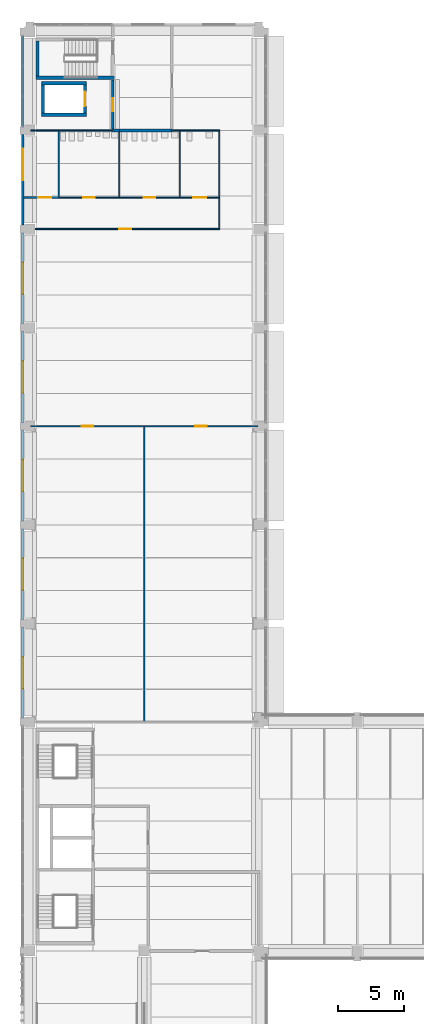
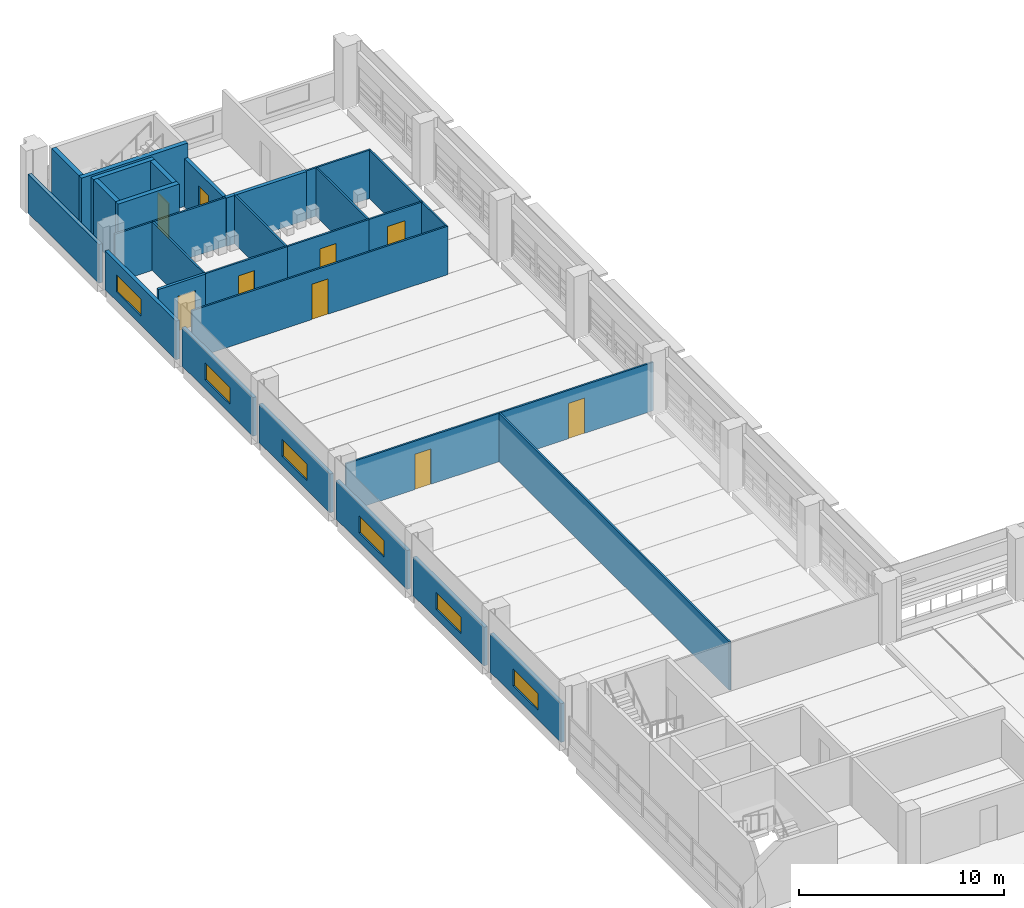
# One storey, part 35 of 61: 33 walls, 9 doors, 6 windows, 15 openings.
"""IFC4 building model written with IfcOpenShell, lengths in metres."""

from ifc_helpers import new_model, si_unit, direction, frame, frame_2d, origin, place, context, subcontext, project, spatial, rectangle, extrude, material, layer, layer_set, type_object, element, fill, save


model = new_model("IFC4")

# Units and contexts
model_context = context("Model", 3, precision=1e-05, world=origin(), true_north=direction((0.0, 1.0)))
body_context = subcontext(model_context, "Body", "Model", "MODEL_VIEW")
ifc_project = project(units=[si_unit("LENGTHUNIT", "METRE"), si_unit("AREAUNIT", "SQUARE_METRE"), si_unit("VOLUMEUNIT", "CUBIC_METRE"), si_unit("PLANEANGLEUNIT", "RADIAN"), si_unit("MASSUNIT", "GRAM", prefix="KILO")], contexts=[model_context])

# Site, building, storey
site_placement = place(None, origin())
site = spatial("IfcSite", under=ifc_project, at=site_placement, CompositionType="ELEMENT")
building_placement = place(site_placement, origin())
building = spatial("IfcBuilding", under=site, at=building_placement, Name="Cour d'Honneur Mobility Palace", CompositionType="ELEMENT")
storey_placement = place(building_placement, frame((0.0, 0.0, 11.89990234375)))
storey = spatial("IfcBuildingStorey", under=building, at=storey_placement, Name="L03", CompositionType="ELEMENT", Elevation=11.89990234375)

# Walls
ifc_material_1 = material(Name="Concrete C50", Category="concrete")
ifc_layer_1 = layer(ifc_material_1, 0.25)
ifc_layer_set_1 = layer_set([ifc_layer_1], Name="Concrete C50")
wall_type_1 = type_object("IfcWallType", Name="Lift shaft wall 250", PredefinedType="SHEAR", material=ifc_layer_set_1)
for number, where, z_axis, x_axis, name in (
    (1, (0.875, 108.60009765625, 0.0), (0.0, 0.0, 1.0), (1.0, 0.0, 0.0), "Lift shaft wall WL-NW1 L03"),
    (2, (0.875, 111.0, 0.0), (0.0, 0.0, 1.0), (1.0, 0.0, 0.0), "Lift shaft wall WL-NW2 L03"),
):
    element("IfcWall", number, at=place(storey_placement, frame(where, z_axis=z_axis, x_axis=x_axis)), inside=storey, type_object=wall_type_1, Name=name, PredefinedType="SHEAR", context=body_context, shape_type="SweptSolid", body=[
        extrude(rectangle(XDim=3.449951171875, YDim=0.25, at=frame_2d((1.72509765625, 0.0))), origin(), (0.0, 0.0, 1.0), 3.7001953125),
    ])
wall_1_placement = place(storey_placement, frame((1.0, 108.72509765625, 0.0), z_axis=(0.0, 0.0, 1.0), x_axis=(0.0, 1.0, 0.0)))
element("IfcWall", 3, at=wall_1_placement, inside=storey, type_object=wall_type_1, Name="Lift shaft wall WL-NW6 L03", PredefinedType="SHEAR", context=body_context, shape_type="SweptSolid", body=[
    extrude(rectangle(XDim=2.14990234375, YDim=0.25, at=frame_2d((1.074951171875, 0.0))), origin(), (0.0, 0.0, 1.0), 3.7001953125),
])

# Wall, opening, door
wall_2_placement = place(storey_placement, frame((4.199951171875, 108.72509765625, 0.0), z_axis=(0.0, 0.0, 1.0), x_axis=(0.0, 1.0, 0.0)))
wall_2 = element("IfcWall", 4, at=wall_2_placement, inside=storey, type_object=wall_type_1, Name="Lift shaft wall WL-NW7 L03", PredefinedType="SHEAR", context=body_context, shape_type="SweptSolid", body=[
    extrude(rectangle(XDim=2.14990234375, YDim=0.25, at=frame_2d((1.074951171875, 0.0))), origin(), (0.0, 0.0, 1.0), 3.7001953125),
])
opening_1_placement = place(wall_2_placement, frame((0.52490234375, 0.0, 0.0)))
opening_1 = element("IfcOpeningElement", 5, at=opening_1_placement, cuts=wall_2, Name="Opening LD56", PredefinedType="OPENING", context=body_context, shape_type="SweptSolid", body=[
    extrude(rectangle(XDim=1.10009765625, YDim=2.10009765625, at=frame_2d((0.550048828125, 1.050048828125))), frame((0.0, 0.135009765625, 0.0), z_axis=(0.0, -1.0, 0.0), x_axis=(1.0, 0.0, 0.0)), (0.0, 0.0, 1.0), 0.27001953125),
])
ifc_material_2 = material(Name="Stainless steel", Category="steel")
door_type_1 = type_object("IfcDoorType", Name="Landing door 1100 x 2100", OperationType="SLIDING_TO_LEFT", PredefinedType="DOOR", material=ifc_material_2)
door_1_placement = place(opening_1_placement, origin())
door_1 = element("IfcDoor", 6, at=door_1_placement, inside=storey, type_object=door_type_1, Name="Landing door LF-NW1 L03", OperationType="SLIDING_TO_LEFT", OverallHeight=2.10009765625, OverallWidth=1.10009765625, PredefinedType="DOOR", context=body_context, shape_type="SweptSolid", body=[
    extrude(rectangle(XDim=1.10009765625, YDim=2.10009765625, at=frame_2d((0.550048828125, 1.050048828125))), frame((0.0, 0.02490234375, 0.0), z_axis=(0.0, -1.0, 0.0), x_axis=(1.0, 0.0, 0.0)), (0.0, 0.0, 1.0), 0.050048828125),
])
fill(opening_1, door_1)

ifc_material_3 = material(Name="Concrete C50", Category="concrete")
ifc_layer_2 = layer(ifc_material_3, 0.199951171875)
ifc_layer_set_2 = layer_set([ifc_layer_2], Name="Concrete C50")
wall_type_2 = type_object("IfcWallType", Name="Load-bearing lobby wall 200 rated EI 120", PredefinedType="PARTITIONING", material=ifc_layer_set_2)
wall_3_placement = place(storey_placement, frame((6.300048828125, 111.22509765625, 0.0), z_axis=(0.0, 0.0, 1.0), x_axis=(0.0, -1.0, 0.0)))
wall_3 = element("IfcWall", 7, at=wall_3_placement, inside=storey, type_object=wall_type_2, Name="Partition 087", PredefinedType="PARTITIONING", context=body_context, shape_type="SweptSolid", body=[
    extrude(rectangle(XDim=3.72509765625, YDim=0.199951171875, at=frame_2d((1.862548828125, 0.0))), origin(), (0.0, 0.0, 1.0), 2.880126953125),
])
opening_2_placement = place(wall_3_placement, frame((1.362548828125, 0.0, 0.0)))
opening_2 = element("IfcOpeningElement", 8, at=opening_2_placement, cuts=wall_3, Name="Opening D0330", PredefinedType="OPENING", context=body_context, shape_type="SweptSolid", body=[
    extrude(rectangle(XDim=1.0, YDim=2.10009765625, at=frame_2d((0.5, 1.050048828125))), frame((0.0, 0.10986328125, 0.0), z_axis=(0.0, -1.0, 0.0), x_axis=(1.0, 0.0, 0.0)), (0.0, 0.0, 1.0), 0.219970703125),
])
ifc_material_4 = material(Name="Galvanised steel", Category="steel")
door_type_2 = type_object("IfcDoorType", Name="Fire door FD120 1000 x 2100", OperationType="SINGLE_SWING_LEFT", PredefinedType="DOOR", material=ifc_material_4)
door_2_placement = place(opening_2_placement, origin())
door_2 = element("IfcDoor", 9, at=door_2_placement, inside=storey, type_object=door_type_2, Name="Door Lift Lobby", OperationType="SINGLE_SWING_RIGHT", OverallHeight=2.10009765625, OverallWidth=1.0, PredefinedType="DOOR", context=body_context, shape_type="SweptSolid", body=[
    extrude(rectangle(XDim=1.0, YDim=2.10009765625, at=frame_2d((0.5, 1.050048828125))), frame((0.0, 0.02490234375, 0.0), z_axis=(0.0, -1.0, 0.0), x_axis=(1.0, 0.0, 0.0)), (0.0, 0.0, 1.0), 0.050048828125),
])
fill(opening_2, door_2)

# Wall
ifc_material_5 = material(Name="Gypsum plasterboard")
ifc_layer_3 = layer(ifc_material_5, 0.10009765625)
ifc_layer_set_3 = layer_set([ifc_layer_3], Name="Gypsum plasterboard")
wall_type_3 = type_object("IfcWallType", Name="Partition 100", PredefinedType="PARTITIONING", material=ifc_layer_set_3)
wall_4_placement = place(storey_placement, frame((8.699951171875, 62.449951171875, 0.0), z_axis=(0.0, 0.0, 1.0), x_axis=(0.0, 1.0, 0.0)))
element("IfcWall", 10, at=wall_4_placement, inside=storey, type_object=wall_type_3, Name="Partition 042", PredefinedType="PARTITIONING", context=body_context, shape_type="SweptSolid", body=[
    extrude(rectangle(XDim=22.400146484375, YDim=0.10009765625, at=frame_2d((11.2001953125, 0.0))), origin(), (0.0, 0.0, 1.0), 2.880126953125),
])

# Wall, opening, door
wall_5_placement = place(storey_placement, frame((8.699951171875, 84.89990234375, 0.0), z_axis=(0.0, 0.0, 1.0), x_axis=(-1.0, 0.0, 0.0)))
wall_5 = element("IfcWall", 11, at=wall_5_placement, inside=storey, type_object=wall_type_3, Name="Partition 046", PredefinedType="PARTITIONING", context=body_context, shape_type="SweptSolid", body=[
    extrude(rectangle(XDim=8.639892578125, YDim=0.10009765625, at=frame_2d((4.31982421875, 0.0))), origin(), (0.0, 0.0, 1.0), 2.880126953125),
])
opening_3_placement = place(wall_5_placement, frame((3.8701171875, 0.0, 0.0)))
opening_3 = element("IfcOpeningElement", 12, at=opening_3_placement, cuts=wall_5, Name="Opening D0313", PredefinedType="OPENING", context=body_context, shape_type="SweptSolid", body=[
    extrude(rectangle(XDim=0.89990234375, YDim=2.10009765625, at=frame_2d((0.449951171875, 1.050048828125))), frame((0.0, 0.06005859375, 0.0), z_axis=(0.0, -1.0, 0.0), x_axis=(1.0, 0.0, 0.0)), (0.0, 0.0, 1.0), 0.1201171875),
])
ifc_material_6 = material(Name="Solid timber", Category="wood")
door_type_3 = type_object("IfcDoorType", Name="Single door 900 x 2100", OperationType="SINGLE_SWING_LEFT", PredefinedType="DOOR", material=ifc_material_6)
door_3_placement = place(opening_3_placement, origin())
door_3 = element("IfcDoor", 13, at=door_3_placement, inside=storey, type_object=door_type_3, Name="Door Cycle Cafe", OperationType="SINGLE_SWING_RIGHT", OverallHeight=2.10009765625, OverallWidth=0.89990234375, PredefinedType="DOOR", context=body_context, shape_type="SweptSolid", body=[
    extrude(rectangle(XDim=0.89990234375, YDim=2.10009765625, at=frame_2d((0.449951171875, 1.050048828125))), frame((0.0, 0.02490234375, 0.0), z_axis=(0.0, -1.0, 0.0), x_axis=(1.0, 0.0, 0.0)), (0.0, 0.0, 1.0), 0.050048828125),
])
fill(opening_3, door_3)

wall_6_placement = place(storey_placement, frame((17.340087890625, 84.89990234375, 0.0), z_axis=(0.0, 0.0, 1.0), x_axis=(-1.0, 0.0, 0.0)))
wall_6 = element("IfcWall", 14, at=wall_6_placement, inside=storey, type_object=wall_type_3, Name="Partition 047", PredefinedType="PARTITIONING", context=body_context, shape_type="SweptSolid", body=[
    extrude(rectangle(XDim=8.64013671875, YDim=0.10009765625, at=frame_2d((4.320068359375, 0.0))), origin(), (0.0, 0.0, 1.0), 2.880126953125),
])
opening_4_placement = place(wall_6_placement, frame((3.8701171875, 0.0, 0.0)))
opening_4 = element("IfcOpeningElement", 15, at=opening_4_placement, cuts=wall_6, Name="Opening D0314", PredefinedType="OPENING", context=body_context, shape_type="SweptSolid", body=[
    extrude(rectangle(XDim=0.89990234375, YDim=2.10009765625, at=frame_2d((0.449951171875, 1.050048828125))), frame((0.0, 0.06005859375, 0.0), z_axis=(0.0, -1.0, 0.0), x_axis=(1.0, 0.0, 0.0)), (0.0, 0.0, 1.0), 0.1201171875),
])
door_4_placement = place(opening_4_placement, origin())
door_4 = element("IfcDoor", 16, at=door_4_placement, inside=storey, type_object=door_type_3, Name="Door Mobility Exhibition Room", OperationType="SINGLE_SWING_LEFT", OverallHeight=2.10009765625, OverallWidth=0.89990234375, PredefinedType="DOOR", context=body_context, shape_type="SweptSolid", body=[
    extrude(rectangle(XDim=0.89990234375, YDim=2.10009765625, at=frame_2d((0.449951171875, 1.050048828125))), frame((0.0, 0.02490234375, 0.0), z_axis=(0.0, -1.0, 0.0), x_axis=(1.0, 0.0, 0.0)), (0.0, 0.0, 1.0), 0.050048828125),
])
fill(opening_4, door_4)

wall_7_placement = place(storey_placement, frame((0.06005859375, 99.89990234375, 0.0), z_axis=(0.0, 0.0, 1.0), x_axis=(1.0, 0.0, 0.0)))
wall_7 = element("IfcWall", 17, at=wall_7_placement, inside=storey, type_object=wall_type_3, Name="Partition 052", PredefinedType="PARTITIONING", context=body_context, shape_type="SweptSolid", body=[
    extrude(rectangle(XDim=14.389892578125, YDim=0.10009765625, at=frame_2d((7.19482421875, 0.0))), origin(), (0.0, 0.0, 1.0), 2.880126953125),
])
opening_5_placement = place(wall_7_placement, frame((6.7451171875, 0.0, 0.0)))
opening_5 = element("IfcOpeningElement", 18, at=opening_5_placement, cuts=wall_7, Name="Opening D0315", PredefinedType="OPENING", context=body_context, shape_type="SweptSolid", body=[
    extrude(rectangle(XDim=0.89990234375, YDim=2.10009765625, at=frame_2d((0.449951171875, 1.050048828125))), frame((0.0, 0.06005859375, 0.0), z_axis=(0.0, -1.0, 0.0), x_axis=(1.0, 0.0, 0.0)), (0.0, 0.0, 1.0), 0.1201171875),
])
door_5_placement = place(opening_5_placement, origin())
door_5 = element("IfcDoor", 19, at=door_5_placement, inside=storey, type_object=door_type_3, Name="Door WC Corridor West", OperationType="SINGLE_SWING_RIGHT", OverallHeight=2.10009765625, OverallWidth=0.89990234375, PredefinedType="DOOR", context=body_context, shape_type="SweptSolid", body=[
    extrude(rectangle(XDim=0.89990234375, YDim=2.10009765625, at=frame_2d((0.449951171875, 1.050048828125))), frame((0.0, 0.02490234375, 0.0), z_axis=(0.0, -1.0, 0.0), x_axis=(1.0, 0.0, 0.0)), (0.0, 0.0, 1.0), 0.050048828125),
])
fill(opening_5, door_5)

# Walls
wall_8_placement = place(storey_placement, frame((14.39990234375, 99.949951171875, 0.0), z_axis=(0.0, 0.0, 1.0), x_axis=(0.0, 1.0, 0.0)))
element("IfcWall", 20, at=wall_8_placement, inside=storey, type_object=wall_type_3, Name="Partition 053", PredefinedType="PARTITIONING", context=body_context, shape_type="SweptSolid", body=[
    extrude(rectangle(XDim=2.300048828125, YDim=0.10009765625, at=frame_2d((1.14990234375, 0.0))), origin(), (0.0, 0.0, 1.0), 2.880126953125),
])
wall_9_placement = place(storey_placement, frame((2.199951171875, 102.375, 0.0), z_axis=(0.0, 0.0, 1.0), x_axis=(0.0, 1.0, 0.0)))
element("IfcWall", 21, at=wall_9_placement, inside=storey, type_object=wall_type_3, Name="Partition 057", PredefinedType="PARTITIONING", context=body_context, shape_type="SweptSolid", body=[
    extrude(rectangle(XDim=4.97509765625, YDim=0.10009765625, at=frame_2d((2.487548828125, 0.0))), origin(), (0.0, 0.0, 1.0), 2.880126953125),
])

# Wall, opening, door
wall_10_placement = place(storey_placement, frame((6.800048828125, 102.300048828125, 0.0), z_axis=(0.0, 0.0, 1.0), x_axis=(-1.0, 0.0, 0.0)))
wall_10 = element("IfcWall", 22, at=wall_10_placement, inside=storey, type_object=wall_type_3, Name="Partition 058", PredefinedType="PARTITIONING", context=body_context, shape_type="SweptSolid", body=[
    extrude(rectangle(XDim=4.60009765625, YDim=0.10009765625, at=frame_2d((2.300048828125, 0.0))), origin(), (0.0, 0.0, 1.0), 2.880126953125),
])
opening_6_placement = place(wall_10_placement, frame((1.85009765625, 0.0, 0.0)))
opening_6 = element("IfcOpeningElement", 23, at=opening_6_placement, cuts=wall_10, Name="Opening D0317", PredefinedType="OPENING", context=body_context, shape_type="SweptSolid", body=[
    extrude(rectangle(XDim=0.89990234375, YDim=2.10009765625, at=frame_2d((0.449951171875, 1.050048828125))), frame((0.0, 0.06005859375, 0.0), z_axis=(0.0, -1.0, 0.0), x_axis=(1.0, 0.0, 0.0)), (0.0, 0.0, 1.0), 0.1201171875),
])
door_6_placement = place(opening_6_placement, origin())
door_6 = element("IfcDoor", 24, at=door_6_placement, inside=storey, type_object=door_type_3, Name="Door WC Men West", OperationType="SINGLE_SWING_LEFT", OverallHeight=2.10009765625, OverallWidth=0.89990234375, PredefinedType="DOOR", context=body_context, shape_type="SweptSolid", body=[
    extrude(rectangle(XDim=0.89990234375, YDim=2.10009765625, at=frame_2d((0.449951171875, 1.050048828125))), frame((0.0, 0.02490234375, 0.0), z_axis=(0.0, -1.0, 0.0), x_axis=(1.0, 0.0, 0.0)), (0.0, 0.0, 1.0), 0.050048828125),
])
fill(opening_6, door_6)

# Wall
wall_11_placement = place(storey_placement, frame((6.800048828125, 102.35009765625, 0.0), z_axis=(0.0, 0.0, 1.0), x_axis=(0.0, 1.0, 0.0)))
element("IfcWall", 25, at=wall_11_placement, inside=storey, type_object=wall_type_3, Name="Partition 059", PredefinedType="PARTITIONING", context=body_context, shape_type="SweptSolid", body=[
    extrude(rectangle(XDim=4.949951171875, YDim=0.10009765625, at=frame_2d((2.47509765625, 0.0))), origin(), (0.0, 0.0, 1.0), 2.880126953125),
])

# Wall, opening, door
wall_12_placement = place(storey_placement, frame((11.39990234375, 102.300048828125, 0.0), z_axis=(0.0, 0.0, 1.0), x_axis=(-1.0, 0.0, 0.0)))
wall_12 = element("IfcWall", 26, at=wall_12_placement, inside=storey, type_object=wall_type_3, Name="Partition 060", PredefinedType="PARTITIONING", context=body_context, shape_type="SweptSolid", body=[
    extrude(rectangle(XDim=4.599853515625, YDim=0.10009765625, at=frame_2d((2.2998046875, 0.0))), origin(), (0.0, 0.0, 1.0), 2.880126953125),
])
opening_7_placement = place(wall_12_placement, frame((1.85009765625, 0.0, 0.0)))
opening_7 = element("IfcOpeningElement", 27, at=opening_7_placement, cuts=wall_12, Name="Opening D0318", PredefinedType="OPENING", context=body_context, shape_type="SweptSolid", body=[
    extrude(rectangle(XDim=0.89990234375, YDim=2.10009765625, at=frame_2d((0.449951171875, 1.050048828125))), frame((0.0, 0.06005859375, 0.0), z_axis=(0.0, -1.0, 0.0), x_axis=(1.0, 0.0, 0.0)), (0.0, 0.0, 1.0), 0.1201171875),
])
door_7_placement = place(opening_7_placement, origin())
door_7 = element("IfcDoor", 28, at=door_7_placement, inside=storey, type_object=door_type_3, Name="Door WC Women West", OperationType="SINGLE_SWING_LEFT", OverallHeight=2.10009765625, OverallWidth=0.89990234375, PredefinedType="DOOR", context=body_context, shape_type="SweptSolid", body=[
    extrude(rectangle(XDim=0.89990234375, YDim=2.10009765625, at=frame_2d((0.449951171875, 1.050048828125))), frame((0.0, 0.02490234375, 0.0), z_axis=(0.0, -1.0, 0.0), x_axis=(1.0, 0.0, 0.0)), (0.0, 0.0, 1.0), 0.050048828125),
])
fill(opening_7, door_7)

# Wall
wall_13_placement = place(storey_placement, frame((11.39990234375, 102.35009765625, 0.0), z_axis=(0.0, 0.0, 1.0), x_axis=(0.0, 1.0, 0.0)))
element("IfcWall", 29, at=wall_13_placement, inside=storey, type_object=wall_type_3, Name="Partition 061", PredefinedType="PARTITIONING", context=body_context, shape_type="SweptSolid", body=[
    extrude(rectangle(XDim=5.0, YDim=0.10009765625, at=frame_2d((2.5, 0.0))), origin(), (0.0, 0.0, 1.0), 2.880126953125),
])

# Wall, opening, door
wall_14_placement = place(storey_placement, frame((14.449951171875, 102.300048828125, 0.0), z_axis=(0.0, 0.0, 1.0), x_axis=(-1.0, 0.0, 0.0)))
wall_14 = element("IfcWall", 30, at=wall_14_placement, inside=storey, type_object=wall_type_3, Name="Partition 062", PredefinedType="PARTITIONING", context=body_context, shape_type="SweptSolid", body=[
    extrude(rectangle(XDim=3.050048828125, YDim=0.10009765625, at=frame_2d((1.52490234375, 0.0))), origin(), (0.0, 0.0, 1.0), 2.880126953125),
])
opening_8_placement = place(wall_14_placement, frame((1.02490234375, 0.0, 0.0)))
opening_8 = element("IfcOpeningElement", 31, at=opening_8_placement, cuts=wall_14, Name="Opening D0319", PredefinedType="OPENING", context=body_context, shape_type="SweptSolid", body=[
    extrude(rectangle(XDim=1.0, YDim=2.10009765625, at=frame_2d((0.5, 1.050048828125))), frame((0.0, 0.06005859375, 0.0), z_axis=(0.0, -1.0, 0.0), x_axis=(1.0, 0.0, 0.0)), (0.0, 0.0, 1.0), 0.1201171875),
])
ifc_material_7 = material(Name="Solid timber", Category="wood")
door_type_4 = type_object("IfcDoorType", Name="Accessible door 1000 x 2100", OperationType="SINGLE_SWING_LEFT", PredefinedType="DOOR", material=ifc_material_7)
door_8_placement = place(opening_8_placement, origin())
door_8 = element("IfcDoor", 32, at=door_8_placement, inside=storey, type_object=door_type_4, Name="Door Accessible WC West", OperationType="SINGLE_SWING_LEFT", OverallHeight=2.10009765625, OverallWidth=1.0, PredefinedType="DOOR", context=body_context, shape_type="SweptSolid", body=[
    extrude(rectangle(XDim=1.0, YDim=2.10009765625, at=frame_2d((0.5, 1.050048828125))), frame((0.0, 0.02490234375, 0.0), z_axis=(0.0, -1.0, 0.0), x_axis=(1.0, 0.0, 0.0)), (0.0, 0.0, 1.0), 0.050048828125),
])
fill(opening_8, door_8)

# Walls
wall_15_placement = place(storey_placement, frame((14.39990234375, 102.35009765625, 0.0), z_axis=(0.0, 0.0, 1.0), x_axis=(0.0, 1.0, 0.0)))
element("IfcWall", 33, at=wall_15_placement, inside=storey, type_object=wall_type_3, Name="Partition 063", PredefinedType="PARTITIONING", context=body_context, shape_type="SweptSolid", body=[
    extrude(rectangle(XDim=5.0, YDim=0.10009765625, at=frame_2d((2.5, 0.0))), origin(), (0.0, 0.0, 1.0), 2.880126953125),
])
wall_16_placement = place(storey_placement, frame((2.199951171875, 107.39990234375, 0.0), z_axis=(0.0, 0.0, 1.0), x_axis=(-1.0, 0.0, 0.0)))
element("IfcWall", 34, at=wall_16_placement, inside=storey, type_object=wall_type_3, Name="Partition 069", PredefinedType="PARTITIONING", context=body_context, shape_type="SweptSolid", body=[
    extrude(rectangle(XDim=2.139892578125, YDim=0.10009765625, at=frame_2d((1.06982421875, 0.0))), origin(), (0.0, 0.0, 1.0), 2.880126953125),
])
wall_17_placement = place(storey_placement, frame((6.300048828125, 107.39990234375, 0.0), z_axis=(0.0, 0.0, 1.0), x_axis=(-1.0, 0.0, 0.0)))
element("IfcWall", 35, at=wall_17_placement, inside=storey, type_object=wall_type_3, Name="Partition 070", PredefinedType="PARTITIONING", context=body_context, shape_type="SweptSolid", body=[
    extrude(rectangle(XDim=4.10009765625, YDim=0.10009765625, at=frame_2d((2.050048828125, 0.0))), origin(), (0.0, 0.0, 1.0), 2.880126953125),
])
wall_18_placement = place(storey_placement, frame((11.39990234375, 107.39990234375, 0.0), z_axis=(0.0, 0.0, 1.0), x_axis=(-1.0, 0.0, 0.0)))
element("IfcWall", 36, at=wall_18_placement, inside=storey, type_object=wall_type_3, Name="Partition 074", PredefinedType="PARTITIONING", context=body_context, shape_type="SweptSolid", body=[
    extrude(rectangle(XDim=0.599853515625, YDim=0.10009765625, at=frame_2d((0.2998046875, 0.0))), origin(), (0.0, 0.0, 1.0), 2.880126953125),
])
wall_19_placement = place(storey_placement, frame((14.449951171875, 107.39990234375, 0.0), z_axis=(0.0, 0.0, 1.0), x_axis=(-1.0, 0.0, 0.0)))
element("IfcWall", 37, at=wall_19_placement, inside=storey, type_object=wall_type_3, Name="Partition 075", PredefinedType="PARTITIONING", context=body_context, shape_type="SweptSolid", body=[
    extrude(rectangle(XDim=3.050048828125, YDim=0.10009765625, at=frame_2d((1.52490234375, 0.0))), origin(), (0.0, 0.0, 1.0), 2.880126953125),
])

# Wall, opening, door
ifc_material_8 = material(Name="Gypsum plasterboard")
ifc_layer_4 = layer(ifc_material_8, 0.14990234375)
ifc_layer_set_4 = layer_set([ifc_layer_4], Name="Gypsum plasterboard")
wall_type_4 = type_object("IfcWallType", Name="Partition 150 rated EI 60", PredefinedType="PARTITIONING", material=ifc_layer_set_4)
wall_20_placement = place(storey_placement, frame((2.199951171875, 102.300048828125, 0.0), z_axis=(0.0, 0.0, 1.0), x_axis=(-1.0, 0.0, 0.0)))
wall_20 = element("IfcWall", 38, at=wall_20_placement, inside=storey, type_object=wall_type_4, Name="Partition 056", PredefinedType="PARTITIONING", context=body_context, shape_type="SweptSolid", body=[
    extrude(rectangle(XDim=2.64990234375, YDim=0.14990234375, at=frame_2d((1.324951171875, 0.0))), origin(), (0.0, 0.0, 1.0), 2.880126953125),
])
opening_9_placement = place(wall_20_placement, frame((0.570068359375, 0.0, 0.0)))
opening_9 = element("IfcOpeningElement", 39, at=opening_9_placement, cuts=wall_20, Name="Opening D0316", PredefinedType="OPENING", context=body_context, shape_type="SweptSolid", body=[
    extrude(rectangle(XDim=1.0, YDim=2.10009765625, at=frame_2d((0.5, 1.050048828125))), frame((0.0, 0.0849609375, 0.0), z_axis=(0.0, -1.0, 0.0), x_axis=(1.0, 0.0, 0.0)), (0.0, 0.0, 1.0), 0.169921875),
])
ifc_material_9 = material(Name="Galvanised steel", Category="steel")
door_type_5 = type_object("IfcDoorType", Name="Fire door FD60 1000 x 2100", OperationType="SINGLE_SWING_LEFT", PredefinedType="DOOR", material=ifc_material_9)
door_9_placement = place(opening_9_placement, origin())
door_9 = element("IfcDoor", 40, at=door_9_placement, inside=storey, type_object=door_type_5, Name="Door Cleaner's Store West", OperationType="SINGLE_SWING_LEFT", OverallHeight=2.10009765625, OverallWidth=1.0, PredefinedType="DOOR", context=body_context, shape_type="SweptSolid", body=[
    extrude(rectangle(XDim=1.0, YDim=2.10009765625, at=frame_2d((0.5, 1.050048828125))), frame((0.0, 0.02490234375, 0.0), z_axis=(0.0, -1.0, 0.0), x_axis=(1.0, 0.0, 0.0)), (0.0, 0.0, 1.0), 0.050048828125),
])
fill(opening_9, door_9)

# Walls
ifc_material_10 = material(Name="Gypsum plasterboard")
ifc_layer_5 = layer(ifc_material_10, 0.199951171875)
ifc_layer_set_5 = layer_set([ifc_layer_5], Name="Gypsum plasterboard")
wall_type_5 = type_object("IfcWallType", Name="Partition 200 rated EI 120", PredefinedType="PARTITIONING", material=ifc_layer_set_5)
wall_21_placement = place(storey_placement, frame((6.300048828125, 107.39990234375, 0.0), z_axis=(0.0, 0.0, 1.0), x_axis=(1.0, 0.0, 0.0)))
element("IfcWall", 41, at=wall_21_placement, inside=storey, type_object=wall_type_5, Name="Partition 071", PredefinedType="PARTITIONING", context=body_context, shape_type="SweptSolid", body=[
    extrude(rectangle(XDim=0.5, YDim=0.199951171875, at=frame_2d((0.25, 0.0))), origin(), (0.0, 0.0, 1.0), 2.880126953125),
])
wall_22_placement = place(storey_placement, frame((6.800048828125, 107.39990234375, 0.0), z_axis=(0.0, 0.0, 1.0), x_axis=(1.0, 0.0, 0.0)))
element("IfcWall", 42, at=wall_22_placement, inside=storey, type_object=wall_type_5, Name="Partition 072", PredefinedType="PARTITIONING", context=body_context, shape_type="SweptSolid", body=[
    extrude(rectangle(XDim=4.0, YDim=0.199951171875, at=frame_2d((2.0, 0.0))), origin(), (0.0, 0.0, 1.0), 2.880126953125),
])
ifc_material_11 = material(Name="Concrete C40", Category="concrete")
ifc_layer_6 = layer(ifc_material_11, 0.199951171875)
ifc_layer_set_6 = layer_set([ifc_layer_6], Name="Concrete C40")
wall_type_6 = type_object("IfcWallType", Name="Spandrel panel", PredefinedType="SOLIDWALL", material=ifc_layer_set_6)
wall_23_placement = place(storey_placement, frame((-0.550048828125, 114.60009765625, 0.0), z_axis=(0.0, 0.0, 1.0), x_axis=(0.0, -1.0, 0.0)))
element("IfcWall", 43, at=wall_23_placement, inside=storey, type_object=wall_type_6, Name="Spandrel panel SW-18", PredefinedType="SOLIDWALL", context=body_context, shape_type="SweptSolid", body=[
    extrude(rectangle(XDim=6.900146484375, YDim=0.199951171875, at=frame_2d((3.4501953125, 0.0))), origin(), (0.0, 0.0, 1.0), 2.300048828125),
])

# Wall, opening, window
wall_24_placement = place(storey_placement, frame((-0.550048828125, 107.10009765625, 0.0), z_axis=(0.0, 0.0, 1.0), x_axis=(0.0, -1.0, 0.0)))
wall_24 = element("IfcWall", 44, at=wall_24_placement, inside=storey, type_object=wall_type_6, Name="Spandrel panel SW-19", PredefinedType="SOLIDWALL", context=body_context, shape_type="SweptSolid", body=[
    extrude(rectangle(XDim=6.900146484375, YDim=0.199951171875, at=frame_2d((3.4501953125, 0.0))), origin(), (0.0, 0.0, 1.0), 2.300048828125),
])
opening_10_placement = place(wall_24_placement, frame((1.10009765625, 0.0, 0.550048828125)))
opening_10 = element("IfcOpeningElement", 45, at=opening_10_placement, cuts=wall_24, Name="Opening W2-19", PredefinedType="OPENING", context=body_context, shape_type="SweptSolid", body=[
    extrude(rectangle(XDim=2.39990234375, YDim=1.0, at=frame_2d((1.199951171875, 0.5))), frame((0.0, 0.10986328125, 0.0), z_axis=(0.0, -1.0, 0.0), x_axis=(1.0, 0.0, 0.0)), (0.0, 0.0, 1.0), 0.219970703125),
])
ifc_material_12 = material(Name="Aluminium frame and glass", Category="aluminium")
window_type = type_object("IfcWindowType", Name="Gallery window W2", PartitioningType="TRIPLE_PANEL_VERTICAL", PredefinedType="WINDOW", material=ifc_material_12)
window_1_placement = place(opening_10_placement, origin())
window_1 = element("IfcWindow", 46, at=window_1_placement, inside=storey, type_object=window_type, Name="Gallery window W2 W2-19", OverallHeight=1.0, OverallWidth=2.39990234375, PartitioningType="SINGLE_PANEL", PredefinedType="WINDOW", context=body_context, shape_type="SweptSolid", body=[
    extrude(rectangle(XDim=2.39990234375, YDim=1.0, at=frame_2d((1.199951171875, 0.5))), frame((0.0, 0.030029296875, 0.0), z_axis=(0.0, -1.0, 0.0), x_axis=(1.0, 0.0, 0.0)), (0.0, 0.0, 1.0), 0.06005859375),
])
fill(opening_10, window_1)

wall_25_placement = place(storey_placement, frame((-0.550048828125, 99.60009765625, 0.0), z_axis=(0.0, 0.0, 1.0), x_axis=(0.0, -1.0, 0.0)))
wall_25 = element("IfcWall", 47, at=wall_25_placement, inside=storey, type_object=wall_type_6, Name="Spandrel panel SW-20", PredefinedType="SOLIDWALL", context=body_context, shape_type="SweptSolid", body=[
    extrude(rectangle(XDim=6.900146484375, YDim=0.199951171875, at=frame_2d((3.4501953125, 0.0))), origin(), (0.0, 0.0, 1.0), 2.300048828125),
])
opening_11_placement = place(wall_25_placement, frame((2.25, 0.0, 0.550048828125)))
opening_11 = element("IfcOpeningElement", 48, at=opening_11_placement, cuts=wall_25, Name="Opening W2-20", PredefinedType="OPENING", context=body_context, shape_type="SweptSolid", body=[
    extrude(rectangle(XDim=2.39990234375, YDim=1.0, at=frame_2d((1.199951171875, 0.5))), frame((0.0, 0.10986328125, 0.0), z_axis=(0.0, -1.0, 0.0), x_axis=(1.0, 0.0, 0.0)), (0.0, 0.0, 1.0), 0.219970703125),
])
window_2_placement = place(opening_11_placement, origin())
window_2 = element("IfcWindow", 49, at=window_2_placement, inside=storey, type_object=window_type, Name="Gallery window W2 W2-20", OverallHeight=1.0, OverallWidth=2.39990234375, PartitioningType="SINGLE_PANEL", PredefinedType="WINDOW", context=body_context, shape_type="SweptSolid", body=[
    extrude(rectangle(XDim=2.39990234375, YDim=1.0, at=frame_2d((1.199951171875, 0.5))), frame((0.0, 0.030029296875, 0.0), z_axis=(0.0, -1.0, 0.0), x_axis=(1.0, 0.0, 0.0)), (0.0, 0.0, 1.0), 0.06005859375),
])
fill(opening_11, window_2)

wall_26_placement = place(storey_placement, frame((-0.550048828125, 92.10009765625, 0.0), z_axis=(0.0, 0.0, 1.0), x_axis=(0.0, -1.0, 0.0)))
wall_26 = element("IfcWall", 50, at=wall_26_placement, inside=storey, type_object=wall_type_6, Name="Spandrel panel SW-21", PredefinedType="SOLIDWALL", context=body_context, shape_type="SweptSolid", body=[
    extrude(rectangle(XDim=6.900146484375, YDim=0.199951171875, at=frame_2d((3.4501953125, 0.0))), origin(), (0.0, 0.0, 1.0), 2.300048828125),
])
opening_12_placement = place(wall_26_placement, frame((2.25, 0.0, 0.550048828125)))
opening_12 = element("IfcOpeningElement", 51, at=opening_12_placement, cuts=wall_26, Name="Opening W2-21", PredefinedType="OPENING", context=body_context, shape_type="SweptSolid", body=[
    extrude(rectangle(XDim=2.39990234375, YDim=1.0, at=frame_2d((1.199951171875, 0.5))), frame((0.0, 0.10986328125, 0.0), z_axis=(0.0, -1.0, 0.0), x_axis=(1.0, 0.0, 0.0)), (0.0, 0.0, 1.0), 0.219970703125),
])
window_3_placement = place(opening_12_placement, origin())
window_3 = element("IfcWindow", 52, at=window_3_placement, inside=storey, type_object=window_type, Name="Gallery window W2 W2-21", OverallHeight=1.0, OverallWidth=2.39990234375, PartitioningType="SINGLE_PANEL", PredefinedType="WINDOW", context=body_context, shape_type="SweptSolid", body=[
    extrude(rectangle(XDim=2.39990234375, YDim=1.0, at=frame_2d((1.199951171875, 0.5))), frame((0.0, 0.030029296875, 0.0), z_axis=(0.0, -1.0, 0.0), x_axis=(1.0, 0.0, 0.0)), (0.0, 0.0, 1.0), 0.06005859375),
])
fill(opening_12, window_3)

wall_27_placement = place(storey_placement, frame((-0.550048828125, 84.60009765625, 0.0), z_axis=(0.0, 0.0, 1.0), x_axis=(0.0, -1.0, 0.0)))
wall_27 = element("IfcWall", 53, at=wall_27_placement, inside=storey, type_object=wall_type_6, Name="Spandrel panel SW-22", PredefinedType="SOLIDWALL", context=body_context, shape_type="SweptSolid", body=[
    extrude(rectangle(XDim=6.900146484375, YDim=0.199951171875, at=frame_2d((3.4501953125, 0.0))), origin(), (0.0, 0.0, 1.0), 2.300048828125),
])
opening_13_placement = place(wall_27_placement, frame((2.25, 0.0, 0.550048828125)))
opening_13 = element("IfcOpeningElement", 54, at=opening_13_placement, cuts=wall_27, Name="Opening W2-22", PredefinedType="OPENING", context=body_context, shape_type="SweptSolid", body=[
    extrude(rectangle(XDim=2.39990234375, YDim=1.0, at=frame_2d((1.199951171875, 0.5))), frame((0.0, 0.10986328125, 0.0), z_axis=(0.0, -1.0, 0.0), x_axis=(1.0, 0.0, 0.0)), (0.0, 0.0, 1.0), 0.219970703125),
])
window_4_placement = place(opening_13_placement, origin())
window_4 = element("IfcWindow", 55, at=window_4_placement, inside=storey, type_object=window_type, Name="Gallery window W2 W2-22", OverallHeight=1.0, OverallWidth=2.39990234375, PartitioningType="SINGLE_PANEL", PredefinedType="WINDOW", context=body_context, shape_type="SweptSolid", body=[
    extrude(rectangle(XDim=2.39990234375, YDim=1.0, at=frame_2d((1.199951171875, 0.5))), frame((0.0, 0.030029296875, 0.0), z_axis=(0.0, -1.0, 0.0), x_axis=(1.0, 0.0, 0.0)), (0.0, 0.0, 1.0), 0.06005859375),
])
fill(opening_13, window_4)

wall_28_placement = place(storey_placement, frame((-0.550048828125, 77.10009765625, 0.0), z_axis=(0.0, 0.0, 1.0), x_axis=(0.0, -1.0, 0.0)))
wall_28 = element("IfcWall", 56, at=wall_28_placement, inside=storey, type_object=wall_type_6, Name="Spandrel panel SW-23", PredefinedType="SOLIDWALL", context=body_context, shape_type="SweptSolid", body=[
    extrude(rectangle(XDim=6.900146484375, YDim=0.199951171875, at=frame_2d((3.4501953125, 0.0))), origin(), (0.0, 0.0, 1.0), 2.300048828125),
])
opening_14_placement = place(wall_28_placement, frame((2.25, 0.0, 0.550048828125)))
opening_14 = element("IfcOpeningElement", 57, at=opening_14_placement, cuts=wall_28, Name="Opening W2-23", PredefinedType="OPENING", context=body_context, shape_type="SweptSolid", body=[
    extrude(rectangle(XDim=2.39990234375, YDim=1.0, at=frame_2d((1.199951171875, 0.5))), frame((0.0, 0.10986328125, 0.0), z_axis=(0.0, -1.0, 0.0), x_axis=(1.0, 0.0, 0.0)), (0.0, 0.0, 1.0), 0.219970703125),
])
window_5_placement = place(opening_14_placement, origin())
window_5 = element("IfcWindow", 58, at=window_5_placement, inside=storey, type_object=window_type, Name="Gallery window W2 W2-23", OverallHeight=1.0, OverallWidth=2.39990234375, PartitioningType="SINGLE_PANEL", PredefinedType="WINDOW", context=body_context, shape_type="SweptSolid", body=[
    extrude(rectangle(XDim=2.39990234375, YDim=1.0, at=frame_2d((1.199951171875, 0.5))), frame((0.0, 0.030029296875, 0.0), z_axis=(0.0, -1.0, 0.0), x_axis=(1.0, 0.0, 0.0)), (0.0, 0.0, 1.0), 0.06005859375),
])
fill(opening_14, window_5)

wall_29_placement = place(storey_placement, frame((-0.550048828125, 69.60009765625, 0.0), z_axis=(0.0, 0.0, 1.0), x_axis=(0.0, -1.0, 0.0)))
wall_29 = element("IfcWall", 59, at=wall_29_placement, inside=storey, type_object=wall_type_6, Name="Spandrel panel SW-24", PredefinedType="SOLIDWALL", context=body_context, shape_type="SweptSolid", body=[
    extrude(rectangle(XDim=6.900146484375, YDim=0.199951171875, at=frame_2d((3.4501953125, 0.0))), origin(), (0.0, 0.0, 1.0), 2.300048828125),
])
opening_15_placement = place(wall_29_placement, frame((2.25, 0.0, 0.550048828125)))
opening_15 = element("IfcOpeningElement", 60, at=opening_15_placement, cuts=wall_29, Name="Opening W2-24", PredefinedType="OPENING", context=body_context, shape_type="SweptSolid", body=[
    extrude(rectangle(XDim=2.39990234375, YDim=1.0, at=frame_2d((1.199951171875, 0.5))), frame((0.0, 0.10986328125, 0.0), z_axis=(0.0, -1.0, 0.0), x_axis=(1.0, 0.0, 0.0)), (0.0, 0.0, 1.0), 0.219970703125),
])
window_6_placement = place(opening_15_placement, origin())
window_6 = element("IfcWindow", 61, at=window_6_placement, inside=storey, type_object=window_type, Name="Gallery window W2 W2-24", OverallHeight=1.0, OverallWidth=2.39990234375, PartitioningType="SINGLE_PANEL", PredefinedType="WINDOW", context=body_context, shape_type="SweptSolid", body=[
    extrude(rectangle(XDim=2.39990234375, YDim=1.0, at=frame_2d((1.199951171875, 0.5))), frame((0.0, 0.030029296875, 0.0), z_axis=(0.0, -1.0, 0.0), x_axis=(1.0, 0.0, 0.0)), (0.0, 0.0, 1.0), 0.06005859375),
])
fill(opening_15, window_6)

# Walls
ifc_material_13 = material(Name="Concrete C50", Category="concrete")
ifc_layer_7 = layer(ifc_material_13, 0.25)
ifc_layer_set_7 = layer_set([ifc_layer_7], Name="Concrete C50")
wall_type_7 = type_object("IfcWallType", Name="Stair wall 250", PredefinedType="SHEAR", material=ifc_layer_set_7)
wall_30_placement = place(storey_placement, frame((0.449951171875, 111.39990234375, 0.0), z_axis=(0.0, 0.0, 1.0), x_axis=(1.0, 0.0, 0.0)))
element("IfcWall", 62, at=wall_30_placement, inside=storey, type_object=wall_type_7, Name="Stair wall WS-NW3 L03", PredefinedType="SHEAR", context=body_context, shape_type="SweptSolid", body=[
    extrude(rectangle(XDim=5.97509765625, YDim=0.25, at=frame_2d((2.987548828125, 0.0))), origin(), (0.0, 0.0, 1.0), 3.7001953125),
])
wall_31_placement = place(storey_placement, frame((0.574951171875, 111.52490234375, 0.0), z_axis=(0.0, 0.0, 1.0), x_axis=(0.0, 1.0, 0.0)))
element("IfcWall", 63, at=wall_31_placement, inside=storey, type_object=wall_type_7, Name="Stair wall WS-NW5 L03", PredefinedType="SHEAR", context=body_context, shape_type="SweptSolid", body=[
    extrude(rectangle(XDim=2.675048828125, YDim=0.25, at=frame_2d((1.33740234375, 0.0))), origin(), (0.0, 0.0, 1.0), 3.7001953125),
])

save(model, "model.ifc")
